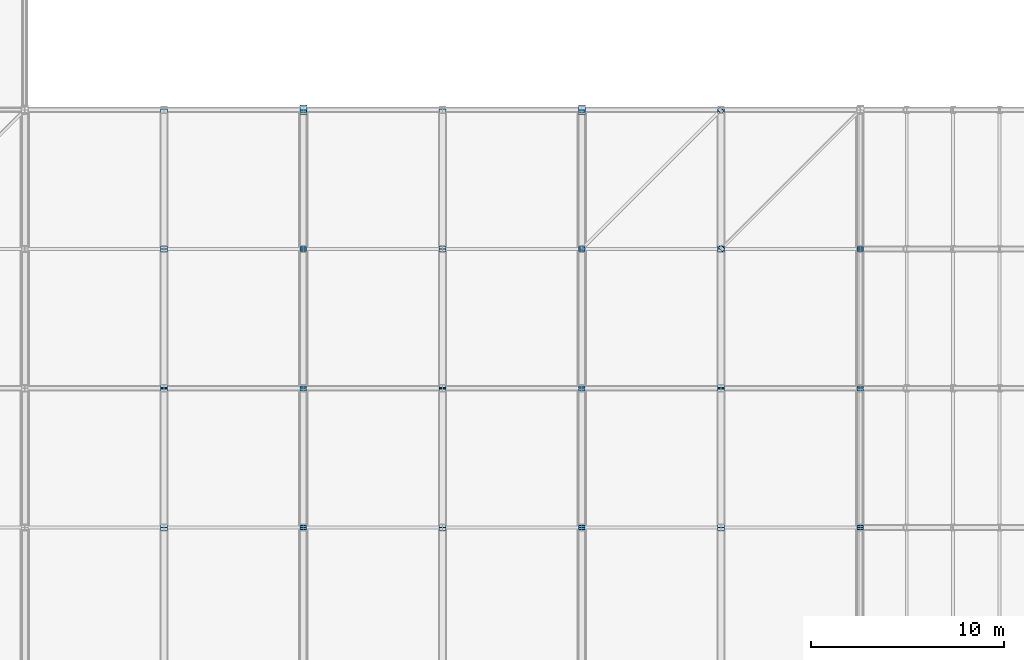
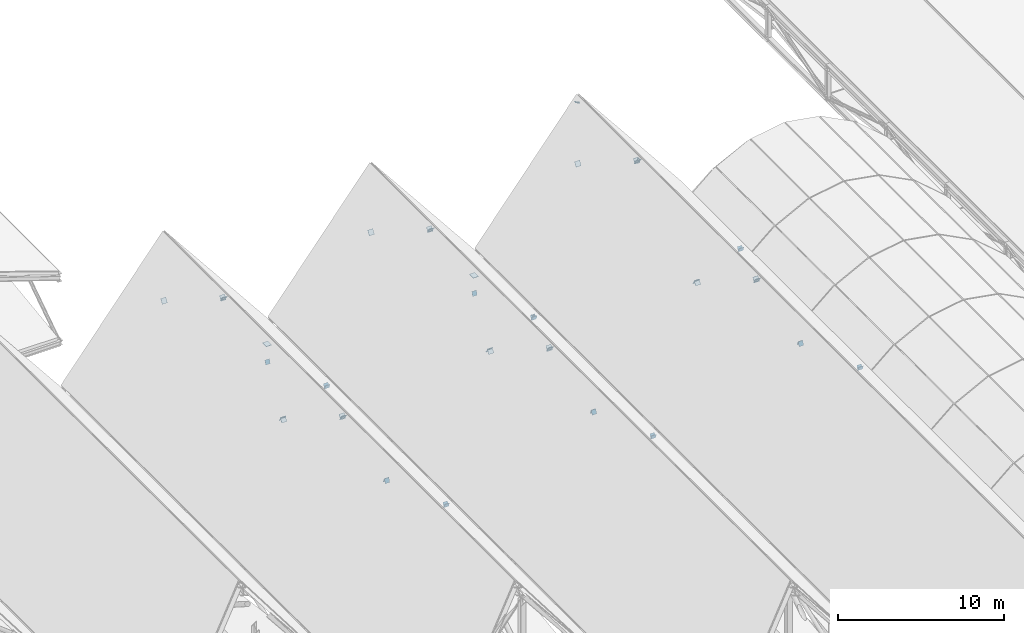
# One storey, part 54 of 60: 46 plates.
"""IFC4 building model written with IfcOpenShell, lengths in metres."""

from ifc_helpers import new_model, si_unit, direction, frame, origin, origin_2d, place, context, subcontext, project, spatial, rectangle, extrude, material, layer, layer_set, type_object, element, save


model = new_model("IFC4")

# Units and contexts
model_context = context("Model", 3, precision=1e-05, world=origin(), true_north=direction((0.0, 1.0)))
body_context = subcontext(model_context, "Body", "Model", "MODEL_VIEW")
ifc_project = project(units=[si_unit("LENGTHUNIT", "METRE"), si_unit("AREAUNIT", "SQUARE_METRE"), si_unit("VOLUMEUNIT", "CUBIC_METRE"), si_unit("PLANEANGLEUNIT", "RADIAN"), si_unit("MASSUNIT", "GRAM", prefix="KILO")], contexts=[model_context])

# Site, building, storey
site_placement = place(None, origin())
site = spatial("IfcSite", under=ifc_project, at=site_placement, CompositionType="ELEMENT")
building_placement = place(site_placement, origin())
building = spatial("IfcBuilding", under=site, at=building_placement, Name="Vesperath Aquatics Centre", CompositionType="ELEMENT")
storey_placement = place(building_placement, frame((0.0, 0.0, 27.60009765625)))
storey = spatial("IfcBuildingStorey", under=building, at=storey_placement, Name="RF", CompositionType="ELEMENT", Elevation=27.60009765625)

# Plates
ifc_material = material(Name="Steel Q355D", Category="steel")
ifc_layer_1 = layer(ifc_material, 0.02001953125)
ifc_layer_set_1 = layer_set([ifc_layer_1], Name="Steel Q355D")
plate_type_1 = type_object("IfcPlateType", Name="PT-TN01", PredefinedType="SHEET", material=ifc_layer_set_1)
for number, where, z_axis, x_axis, name in (
    (1, (64.800048828125, 64.732421875, -0.84326171875), (0.0, 0.842696259913, 0.538389276944), (-1.0, 0.0, 0.0), "Truss Node Cap Plate TN01"),
    (2, (64.800048828125, 64.850341796875, -0.83251953125), (0.0, 0.842696259913, -0.538389276944), (-1.0, 0.0, 0.0), "Truss Node Cap Plate TN01"),
    (3, (64.800048828125, 71.932373046875, -5.35693359375), (0.0, 0.842696259913, -0.538389276944), (-1.0, 0.0, 0.0), "Truss Node Cap Plate TN01"),
    (4, (64.800048828125, 72.050537109375, -5.36767578125), (0.0, 0.842696259913, 0.538389276944), (-1.0, 0.0, 0.0), "Truss Node Cap Plate TN01"),
    (5, (64.800048828125, 79.132568359375, -0.84326171875), (0.0, 0.842696259913, 0.538389276944), (-1.0, 0.0, 0.0), "Truss Node Cap Plate TN01"),
    (6, (64.800048828125, 79.25048828125, -0.83251953125), (0.0, 0.842696259913, -0.538389276944), (-1.0, 0.0, 0.0), "Truss Node Cap Plate TN01"),
    (7, (64.800048828125, 86.33251953125, -5.35693359375), (0.0, 0.842696259913, -0.538389276944), (-1.0, 0.0, 0.0), "Truss Node Cap Plate TN01"),
    (8, (79.199951171875, 64.732421875, -0.84326171875), (0.0, 0.842696259913, 0.538389276944), (-1.0, 0.0, 0.0), "Truss Node Cap Plate TN01"),
    (9, (79.199951171875, 64.850341796875, -0.83251953125), (0.0, 0.842696259913, -0.538389276944), (-1.0, 0.0, 0.0), "Truss Node Cap Plate TN01"),
    (10, (79.199951171875, 71.932373046875, -5.35693359375), (0.0, 0.842696259913, -0.538389276944), (-1.0, 0.0, 0.0), "Truss Node Cap Plate TN01"),
    (11, (79.199951171875, 72.050537109375, -5.36767578125), (0.0, 0.842696259913, 0.538389276944), (-1.0, 0.0, 0.0), "Truss Node Cap Plate TN01"),
    (12, (79.199951171875, 79.132568359375, -0.84326171875), (0.0, 0.842696259913, 0.538389276944), (-1.0, 0.0, 0.0), "Truss Node Cap Plate TN01"),
    (13, (79.199951171875, 79.25048828125, -0.83251953125), (0.0, 0.842696259913, -0.538389276944), (-1.0, 0.0, 0.0), "Truss Node Cap Plate TN01"),
    (14, (79.199951171875, 86.33251953125, -5.35693359375), (0.0, 0.842696259913, -0.538389276944), (-1.0, 0.0, 0.0), "Truss Node Cap Plate TN01"),
    (15, (93.60009765625, 64.732421875, -0.84326171875), (0.0, 0.842696259913, 0.538389276944), (-1.0, 0.0, 0.0), "Truss Node Cap Plate TN01"),
    (16, (93.60009765625, 64.850341796875, -0.83251953125), (0.0, 0.842696259913, -0.538389276944), (-1.0, 0.0, 0.0), "Truss Node Cap Plate TN01"),
    (17, (93.60009765625, 71.932373046875, -5.35693359375), (0.0, 0.842696259913, -0.538389276944), (-1.0, 0.0, 0.0), "Truss Node Cap Plate TN01"),
    (18, (93.60009765625, 72.050537109375, -5.36767578125), (0.0, 0.842696259913, 0.538389276944), (-1.0, 0.0, 0.0), "Truss Node Cap Plate TN01"),
    (19, (93.60009765625, 79.132568359375, -0.84326171875), (0.0, 0.842696259913, 0.538389276944), (-1.0, 0.0, 0.0), "Truss Node Cap Plate TN01"),
    (20, (93.60009765625, 79.25048828125, -0.83251953125), (0.0, 0.842696259913, -0.538389276944), (-1.0, 0.0, 0.0), "Truss Node Cap Plate TN01"),
    (21, (93.60009765625, 86.33251953125, -5.35693359375), (0.0, 0.842696259913, -0.538389276944), (-1.0, 0.0, 0.0), "Truss Node Cap Plate TN01"),
):
    element("IfcPlate", number, at=place(storey_placement, frame(where, z_axis=z_axis, x_axis=x_axis)), inside=storey, type_object=plate_type_1, Name=name, PredefinedType="SHEET", context=body_context, shape_type="SweptSolid", body=[
        extrude(rectangle(XDim=0.360107421875, YDim=0.360107421875, at=origin_2d()), origin(), (0.0, 0.0, 1.0), 0.02001953125),
    ])
ifc_layer_2 = layer(ifc_material, 0.02001953125)
ifc_layer_set_2 = layer_set([ifc_layer_2], Name="Steel Q355D")
plate_type_2 = type_object("IfcPlateType", Name="PT-TN02", PredefinedType="SHEET", material=ifc_layer_set_2)
for number, where, z_axis, x_axis, name in (
    (22, (72.0, 64.724609375, -9.827392578125), (0.0, 0.940553899656, 0.339644463876), (-1.0, 0.0, 0.0), "Truss Node Cap Plate TN02"),
    (23, (72.0, 64.856201171875, -9.820556640625), (0.0, 0.940553899656, -0.339644463876), (-1.0, 0.0, 0.0), "Truss Node Cap Plate TN02"),
    (24, (72.0, 71.924560546875, -12.372802734375), (0.0, 0.940553899656, -0.339644463876), (-1.0, 0.0, 0.0), "Truss Node Cap Plate TN02"),
    (25, (72.0, 72.056396484375, -12.379638671875), (0.0, 0.940553899656, 0.339644463876), (-1.0, 0.0, 0.0), "Truss Node Cap Plate TN02"),
    (26, (72.0, 79.124755859375, -9.827392578125), (0.0, 0.940553899656, 0.339644463876), (-1.0, 0.0, 0.0), "Truss Node Cap Plate TN02"),
    (27, (72.0, 79.25634765625, -9.820556640625), (0.0, 0.940553899656, -0.339644463876), (-1.0, 0.0, 0.0), "Truss Node Cap Plate TN02"),
    (28, (72.0, 86.32470703125, -12.372802734375), (0.0, 0.940553899656, -0.339644463876), (-1.0, 0.0, 0.0), "Truss Node Cap Plate TN02"),
    (29, (86.39990234375, 64.724609375, -9.827392578125), (0.0, 0.940553899656, 0.339644463876), (-1.0, 0.0, 0.0), "Truss Node Cap Plate TN02"),
    (30, (86.39990234375, 64.856201171875, -9.820556640625), (0.0, 0.940553899656, -0.339644463876), (-1.0, 0.0, 0.0), "Truss Node Cap Plate TN02"),
    (31, (86.39990234375, 71.924560546875, -12.372802734375), (0.0, 0.940553899656, -0.339644463876), (-1.0, 0.0, 0.0), "Truss Node Cap Plate TN02"),
    (32, (86.39990234375, 72.056396484375, -12.379638671875), (0.0, 0.940553899656, 0.339644463876), (-1.0, 0.0, 0.0), "Truss Node Cap Plate TN02"),
    (33, (86.39990234375, 79.124755859375, -9.827392578125), (0.0, 0.940553899656, 0.339644463876), (-1.0, 0.0, 0.0), "Truss Node Cap Plate TN02"),
    (34, (86.39990234375, 79.25634765625, -9.820556640625), (0.0, 0.940553899656, -0.339644463876), (-1.0, 0.0, 0.0), "Truss Node Cap Plate TN02"),
    (35, (86.39990234375, 86.32470703125, -12.372802734375), (0.0, 0.940553899656, -0.339644463876), (-1.0, 0.0, 0.0), "Truss Node Cap Plate TN02"),
    (36, (100.800048828125, 64.724609375, -9.827392578125), (0.0, 0.940553899656, 0.339644463876), (-1.0, 0.0, 0.0), "Truss Node Cap Plate TN02"),
    (37, (100.800048828125, 64.856201171875, -9.820556640625), (0.0, 0.940553899656, -0.339644463876), (-1.0, 0.0, 0.0), "Truss Node Cap Plate TN02"),
    (38, (100.800048828125, 71.924560546875, -12.372802734375), (0.0, 0.940553899656, -0.339644463876), (-1.0, 0.0, 0.0), "Truss Node Cap Plate TN02"),
    (39, (100.800048828125, 72.056396484375, -12.379638671875), (0.0, 0.940553899656, 0.339644463876), (-1.0, 0.0, 0.0), "Truss Node Cap Plate TN02"),
    (40, (100.800048828125, 79.124755859375, -9.827392578125), (0.0, 0.940553899656, 0.339644463876), (-1.0, 0.0, 0.0), "Truss Node Cap Plate TN02"),
    (41, (100.800048828125, 79.25634765625, -9.820556640625), (0.0, 0.940553899656, -0.339644463876), (-1.0, 0.0, 0.0), "Truss Node Cap Plate TN02"),
):
    element("IfcPlate", number, at=place(storey_placement, frame(where, z_axis=z_axis, x_axis=x_axis)), inside=storey, type_object=plate_type_2, Name=name, PredefinedType="SHEET", context=body_context, shape_type="SweptSolid", body=[
        extrude(rectangle(XDim=0.320068359375, YDim=0.320068359375, at=origin_2d()), origin(), (0.0, 0.0, 1.0), 0.02001953125),
    ])
ifc_layer_3 = layer(ifc_material, 0.01806640625)
ifc_layer_set_3 = layer_set([ifc_layer_3], Name="Steel Q355D")
plate_type_3 = type_object("IfcPlateType", Name="PT-TN03", PredefinedType="SHEET", material=ifc_layer_set_3)
for number, where, z_axis, x_axis, name in (
    (42, (86.4326171875, 79.232666015625, -9.75927734375), (0.529812942738, 0.529812942738, 0.662266178673), (-0.707106781187, 0.707106781187, 0.0), "Truss Node Cap Plate TN03"),
    (43, (93.5576171875, 86.357421875, -0.853271484375), (0.529812942738, 0.529812942738, 0.662266178673), (-0.707106781187, 0.707106781187, 0.0), "Truss Node Cap Plate TN03"),
    (44, (93.6328125, 79.232666015625, -0.841064453125), (0.529812942738, 0.529812942738, -0.662266178673), (-0.707106781187, 0.707106781187, 0.0), "Truss Node Cap Plate TN03"),
):
    element("IfcPlate", number, at=place(storey_placement, frame(where, z_axis=z_axis, x_axis=x_axis)), inside=storey, type_object=plate_type_3, Name=name, PredefinedType="SHEET", context=body_context, shape_type="SweptSolid", body=[
        extrude(rectangle(XDim=0.280029296875, YDim=0.280029296875, at=origin_2d()), origin(), (0.0, 0.0, 1.0), 0.01806640625),
    ])
ifc_layer_4 = layer(ifc_material, 0.02197265625)
ifc_layer_set_4 = layer_set([ifc_layer_4], Name="Steel Q355D")
plate_type_4 = type_object("IfcPlateType", Name="PT-TN06", PredefinedType="SHEET", material=ifc_layer_set_4)
for number, where, z_axis, x_axis, name in (
    (45, (72.0, 86.39990234375, -11.111083984375), (0.0, 0.0, 1.0), (0.0, 1.0, 0.0), "Truss Support Gusset Plate TN06 G11/N"),
    (46, (86.39990234375, 86.39990234375, -11.111083984375), (0.0, 0.0, 1.0), (0.0, 1.0, 0.0), "Truss Support Gusset Plate TN06 G13/N"),
):
    element("IfcPlate", number, at=place(storey_placement, frame(where, z_axis=z_axis, x_axis=x_axis)), inside=storey, type_object=plate_type_4, Name=name, PredefinedType="SHEET", context=body_context, shape_type="SweptSolid", body=[
        extrude(rectangle(XDim=0.47998046875, YDim=0.360107421875, at=origin_2d()), origin(), (0.0, 0.0, 1.0), 0.02197265625),
    ])

save(model, "model.ifc")
